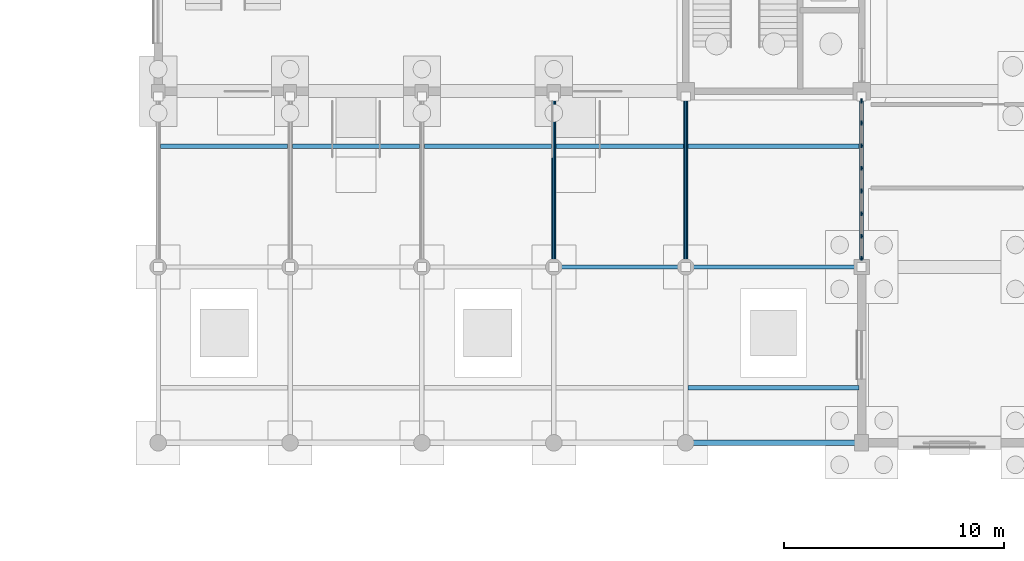
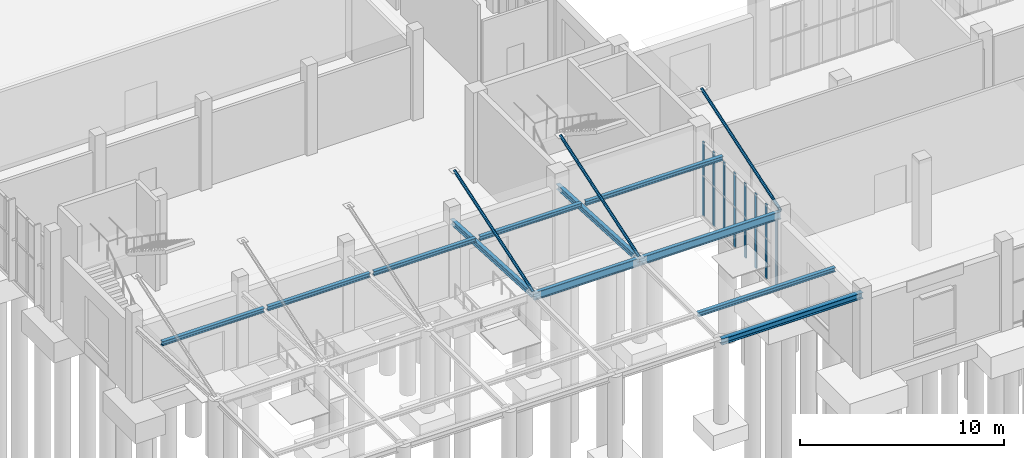
# One storey, part 8 of 69: 11 beams, 11 members, 1 element without a shape of its own.
"""IFC4 building model written with IfcOpenShell, lengths in metres."""

from ifc_helpers import new_model, si_unit, direction, frame, origin, origin_2d, place, context, subcontext, project, spatial, rectangle, hollow_circle, i_section, extrude, material, layer, layer_set, material_profile, profile_set, type_object, element, aggregate, save


model = new_model("IFC4")

# Units and contexts
model_context = context("Model", 3, precision=1e-05, world=origin(), true_north=direction((0.0, 1.0)))
body_context = subcontext(model_context, "Body", "Model", "MODEL_VIEW")
ifc_project = project(units=[si_unit("LENGTHUNIT", "METRE"), si_unit("AREAUNIT", "SQUARE_METRE"), si_unit("VOLUMEUNIT", "CUBIC_METRE"), si_unit("PLANEANGLEUNIT", "RADIAN"), si_unit("MASSUNIT", "GRAM", prefix="KILO")], contexts=[model_context])

# Site, building, storey
site_placement = place(None, origin())
site = spatial("IfcSite", under=ifc_project, at=site_placement, CompositionType="ELEMENT")
building_placement = place(site_placement, origin())
building = spatial("IfcBuilding", under=site, at=building_placement, Name="Solvane Community Centre", CompositionType="ELEMENT")
storey_placement = place(building_placement, origin())
storey = spatial("IfcBuildingStorey", under=building, at=storey_placement, Name="L00", CompositionType="ELEMENT", Elevation=0.0)

# Curtain wall, members
ifc_material_1 = material(Name="Anodised bronze aluminium AW-6063 T6", Category="aluminium")
ifc_layer = layer(ifc_material_1, 0.18994140625)
ifc_layer_set = layer_set([ifc_layer], Name="Anodised bronze aluminium AW-6063 T6")
curtain_wall_type = type_object("IfcCurtainWallType", Name="Boulevard Bronze Vision Curtain Wall [72x44dm]", PredefinedType="NOTDEFINED", material=ifc_layer_set)
curtain_wall_placement = place(storey_placement, origin())
curtain_wall = element("IfcCurtainWall", 1, at=curtain_wall_placement, inside=storey, type_object=curtain_wall_type, Name="Curtain Wall CW-L00-680_144-002", PredefinedType="NOTDEFINED")
ifc_material_profile_1 = material_profile(ifc_material_1, rectangle(XDim=0.06005859375, YDim=0.18994140625, at=origin_2d()), Name="CW-M 60x190")
ifc_profile_set_1 = profile_set([ifc_material_profile_1], Name="Anodised bronze aluminium AW-6063 T6")
member_type_1 = type_object("IfcMemberType", Name="Boulevard Mullion 60x190", PredefinedType="MULLION", material=ifc_profile_set_1)
member_1_placement = place(storey_placement, frame((68.0, 14.39501953125, 0.0), z_axis=(0.0, 0.0, 1.0), x_axis=(-1.0, 0.0, 0.0)))
member_1 = element("IfcMember", 2, at=member_1_placement, type_object=member_type_1, Name="CW02-72x44 mullion 1", PredefinedType="MULLION", context=body_context, shape_type="SweptSolid", body=[
    extrude(rectangle(XDim=0.06005859375, YDim=0.18994140625, at=origin_2d()), origin(), (0.0, 0.0, 1.0), 4.445068359375),
])
member_2_placement = place(storey_placement, frame((68.0, 15.396484375, 0.0), z_axis=(0.0, 0.0, 1.0), x_axis=(-1.0, 0.0, 0.0)))
member_2 = element("IfcMember", 3, at=member_2_placement, type_object=member_type_1, Name="CW02-72x44 mullion 2", PredefinedType="MULLION", context=body_context, shape_type="SweptSolid", body=[
    extrude(rectangle(XDim=0.06005859375, YDim=0.18994140625, at=origin_2d()), origin(), (0.0, 0.0, 1.0), 4.445068359375),
])
member_3_placement = place(storey_placement, frame((68.0, 16.427978515625, 0.0), z_axis=(0.0, 0.0, 1.0), x_axis=(-1.0, 0.0, 0.0)))
member_3 = element("IfcMember", 4, at=member_3_placement, type_object=member_type_1, Name="CW02-72x44 mullion 3", PredefinedType="MULLION", context=body_context, shape_type="SweptSolid", body=[
    extrude(rectangle(XDim=0.06005859375, YDim=0.18994140625, at=origin_2d()), origin(), (0.0, 0.0, 1.0), 4.445068359375),
])
member_4_placement = place(storey_placement, frame((68.0, 17.459228515625, 0.0), z_axis=(0.0, 0.0, 1.0), x_axis=(-1.0, 0.0, 0.0)))
member_4 = element("IfcMember", 5, at=member_4_placement, type_object=member_type_1, Name="CW02-72x44 mullion 4", PredefinedType="MULLION", context=body_context, shape_type="SweptSolid", body=[
    extrude(rectangle(XDim=0.06005859375, YDim=0.18994140625, at=origin_2d()), origin(), (0.0, 0.0, 1.0), 4.445068359375),
])
member_5_placement = place(storey_placement, frame((68.0, 18.49072265625, 0.0), z_axis=(0.0, 0.0, 1.0), x_axis=(-1.0, 0.0, 0.0)))
member_5 = element("IfcMember", 6, at=member_5_placement, type_object=member_type_1, Name="CW02-72x44 mullion 5", PredefinedType="MULLION", context=body_context, shape_type="SweptSolid", body=[
    extrude(rectangle(XDim=0.06005859375, YDim=0.18994140625, at=origin_2d()), origin(), (0.0, 0.0, 1.0), 4.445068359375),
])
member_6_placement = place(storey_placement, frame((68.0, 19.522216796875, 0.0), z_axis=(0.0, 0.0, 1.0), x_axis=(-1.0, 0.0, 0.0)))
member_6 = element("IfcMember", 7, at=member_6_placement, type_object=member_type_1, Name="CW02-72x44 mullion 6", PredefinedType="MULLION", context=body_context, shape_type="SweptSolid", body=[
    extrude(rectangle(XDim=0.06005859375, YDim=0.18994140625, at=origin_2d()), origin(), (0.0, 0.0, 1.0), 4.445068359375),
])
member_7_placement = place(storey_placement, frame((68.0, 20.553466796875, 0.0), z_axis=(0.0, 0.0, 1.0), x_axis=(-1.0, 0.0, 0.0)))
member_7 = element("IfcMember", 8, at=member_7_placement, type_object=member_type_1, Name="CW02-72x44 mullion 7", PredefinedType="MULLION", context=body_context, shape_type="SweptSolid", body=[
    extrude(rectangle(XDim=0.06005859375, YDim=0.18994140625, at=origin_2d()), origin(), (0.0, 0.0, 1.0), 4.445068359375),
])
member_8_placement = place(storey_placement, frame((68.0, 21.554931640625, 0.0), z_axis=(0.0, 0.0, 1.0), x_axis=(-1.0, 0.0, 0.0)))
member_8 = element("IfcMember", 9, at=member_8_placement, type_object=member_type_1, Name="CW02-72x44 mullion 8", PredefinedType="MULLION", context=body_context, shape_type="SweptSolid", body=[
    extrude(rectangle(XDim=0.06005859375, YDim=0.18994140625, at=origin_2d()), origin(), (0.0, 0.0, 1.0), 4.445068359375),
])
aggregate(curtain_wall, [member_1, member_2, member_3, member_4, member_5, member_6, member_7, member_8])

# Members
ifc_material_2 = material(Name="Steel ASTM A572 Grade 50", Category="steel")
ifc_material_profile_2 = material_profile(ifc_material_2, hollow_circle(Radius=0.084228515625, WallThickness=0.010009765625, at=origin_2d()), Name="CHS 168.3x10.0")
ifc_profile_set_2 = profile_set([ifc_material_profile_2], Name="Steel ASTM A572 Grade 50")
member_type_2 = type_object("IfcMemberType", Name="Canopy Hanger Strut CHS168", PredefinedType="STRUT", material=ifc_profile_set_2)
for number, where, z_axis, x_axis, name in (
    (10, (54.0, 21.75, 7.5), (0.0, -0.948802787052, -0.315869073008), (1.0, 0.0, 0.0), "Member MEM-L00-0393"),
    (11, (60.0, 21.75, 7.5), (0.0, -0.948802787052, -0.315869073008), (1.0, 0.0, 0.0), "Member MEM-L00-0394"),
    (12, (68.0, 21.75, 7.5), (0.0, -0.948802787052, -0.315869073008), (1.0, 0.0, 0.0), "Member MEM-L00-0395"),
):
    element("IfcMember", number, at=place(storey_placement, frame(where, z_axis=z_axis, x_axis=x_axis)), inside=storey, type_object=member_type_2, Name=name, PredefinedType="STRUT", context=body_context, shape_type="SweptSolid", body=[
        extrude(hollow_circle(Radius=0.084228515625, WallThickness=0.010009765625, at=origin_2d()), origin(), (0.0, 0.0, 1.0), 8.168212890625),
    ])

# Beams
ifc_material_profile_3 = material_profile(ifc_material_2, i_section(OverallWidth=0.205078125, OverallDepth=0.31005859375, WebThickness=0.009521484375, FlangeThickness=0.016357421875, FilletRadius=0.012939453125, at=origin_2d()), Name="W310x74")
ifc_profile_set_3 = profile_set([ifc_material_profile_3], Name="Steel ASTM A572 Grade 50")
beam_type_1 = type_object("IfcBeamType", Name="Steel Canopy Beam W310x74", PredefinedType="BEAM", material=ifc_profile_set_3)
for number, where, z_axis, x_axis, name in (
    (13, (54.0, 14.0, 4.764892578125), (0.0, 0.998491323842, -0.054909709642), (-1.0, 0.0, 0.0), "Beam BM-L00-540_140-540_220"),
    (14, (60.0, 14.0, 4.764892578125), (0.0, 0.998491323842, -0.054909709642), (-1.0, 0.0, 0.0), "Beam BM-L00-600_140-600_220"),
):
    element("IfcBeam", number, at=place(storey_placement, frame(where, z_axis=z_axis, x_axis=x_axis)), inside=storey, type_object=beam_type_1, Name=name, PredefinedType="BEAM", context=body_context, shape_type="SweptSolid", body=[
        extrude(i_section(OverallWidth=0.205078125, OverallDepth=0.31005859375, WebThickness=0.009521484375, FlangeThickness=0.016357421875, FilletRadius=0.012939453125, at=origin_2d()), origin(), (0.0, 0.0, 1.0), 8.01220703125),
    ])
ifc_material_profile_4 = material_profile(ifc_material_2, i_section(OverallWidth=0.194091796875, OverallDepth=0.468994140625, WebThickness=0.014404296875, FlangeThickness=0.0205078125, FilletRadius=0.012939453125, at=origin_2d()), Name="W460x106")
ifc_profile_set_4 = profile_set([ifc_material_profile_4], Name="Steel ASTM A572 Grade 50")
beam_type_2 = type_object("IfcBeamType", Name="Steel Canopy Girder W460x106", PredefinedType="USERDEFINED", material=ifc_profile_set_4)
beam_1_placement = place(storey_placement, frame((54.0, 14.0, 4.685546875), z_axis=(1.0, 0.0, 0.0), x_axis=(0.0, 1.0, 0.0)))
element("IfcBeam", 15, at=beam_1_placement, inside=storey, type_object=beam_type_2, Name="Beam BM-L00-540_140-600_140", ObjectType="GIRDER", PredefinedType="USERDEFINED", context=body_context, shape_type="SweptSolid", body=[
    extrude(i_section(OverallWidth=0.194091796875, OverallDepth=0.468994140625, WebThickness=0.014404296875, FlangeThickness=0.0205078125, FilletRadius=0.012939453125, at=origin_2d()), origin(), (0.0, 0.0, 1.0), 6.0),
])
beam_2_placement = place(storey_placement, frame((60.0, 14.0, 4.685546875), z_axis=(1.0, 0.0, 0.0), x_axis=(0.0, 1.0, 0.0)))
element("IfcBeam", 16, at=beam_2_placement, inside=storey, type_object=beam_type_2, Name="Beam BM-L00-600_140-680_140", ObjectType="GIRDER", PredefinedType="USERDEFINED", context=body_context, shape_type="SweptSolid", body=[
    extrude(i_section(OverallWidth=0.194091796875, OverallDepth=0.468994140625, WebThickness=0.014404296875, FlangeThickness=0.0205078125, FilletRadius=0.012939453125, at=origin_2d()), origin(), (0.0, 0.0, 1.0), 8.0),
])
ifc_material_profile_5 = material_profile(ifc_material_2, i_section(OverallWidth=0.202880859375, OverallDepth=0.251953125, WebThickness=0.008056640625, FlangeThickness=0.013427734375, FilletRadius=0.012939453125, at=origin_2d()), Name="W250x58")
ifc_profile_set_5 = profile_set([ifc_material_profile_5], Name="Steel ASTM A572 Grade 50")
beam_type_3 = type_object("IfcBeamType", Name="Steel Canopy Joist W250x58", PredefinedType="JOIST", material=ifc_profile_set_5)
for number, where, z_axis, x_axis, name in (
    (17, (36.110107421875, 19.5, 4.7939453125), (1.0, 0.0, 0.0), (0.0, 1.0, 0.0), "Beam BM-L00-361_195-419_195"),
    (18, (42.110107421875, 19.5, 4.7939453125), (1.0, 0.0, 0.0), (0.0, 1.0, 0.0), "Beam BM-L00-421_195-479_195"),
    (19, (48.110107421875, 19.5, 4.7939453125), (1.0, 0.0, 0.0), (0.0, 1.0, 0.0), "Beam BM-L00-481_195-539_195"),
    (20, (54.110107421875, 19.5, 4.7939453125), (1.0, 0.0, 0.0), (0.0, 1.0, 0.0), "Beam BM-L00-541_195-599_195"),
):
    element("IfcBeam", number, at=place(storey_placement, frame(where, z_axis=z_axis, x_axis=x_axis)), inside=storey, type_object=beam_type_3, Name=name, PredefinedType="JOIST", context=body_context, shape_type="SweptSolid", body=[
        extrude(i_section(OverallWidth=0.202880859375, OverallDepth=0.251953125, WebThickness=0.008056640625, FlangeThickness=0.013427734375, FilletRadius=0.012939453125, at=origin_2d()), origin(), (0.0, 0.0, 1.0), 5.77978515625),
    ])
for number, where, z_axis, x_axis, name in (
    (21, (60.110107421875, 8.5, 4.7939453125), (1.0, 0.0, 0.0), (0.0, 1.0, 0.0), "Beam BM-L00-601_85-679_85"),
    (22, (60.110107421875, 19.5, 4.7939453125), (1.0, 0.0, 0.0), (0.0, 1.0, 0.0), "Beam BM-L00-601_195-679_195"),
):
    element("IfcBeam", number, at=place(storey_placement, frame(where, z_axis=z_axis, x_axis=x_axis)), inside=storey, type_object=beam_type_3, Name=name, PredefinedType="JOIST", context=body_context, shape_type="SweptSolid", body=[
        extrude(i_section(OverallWidth=0.202880859375, OverallDepth=0.251953125, WebThickness=0.008056640625, FlangeThickness=0.013427734375, FilletRadius=0.012939453125, at=origin_2d()), origin(), (0.0, 0.0, 1.0), 7.77978515625),
    ])
ifc_material_profile_6 = material_profile(ifc_material_2, i_section(OverallWidth=0.257080078125, OverallDepth=0.363037109375, WebThickness=0.012939453125, FlangeThickness=0.021728515625, FilletRadius=0.014892578125, at=origin_2d()), Name="W360x122")
ifc_profile_set_6 = profile_set([ifc_material_profile_6], Name="Steel ASTM A572 Grade 50")
beam_type_4 = type_object("IfcBeamType", Name="Steel Edge Spandrel W360x122", PredefinedType="SPANDREL", material=ifc_profile_set_6)
beam_3_placement = place(storey_placement, frame((60.0, 6.0, 4.738525390625), z_axis=(1.0, 0.0, 0.0), x_axis=(0.0, 1.0, 0.0)))
element("IfcBeam", 23, at=beam_3_placement, inside=storey, type_object=beam_type_4, Name="Beam BM-L00-600_60-680_60", PredefinedType="SPANDREL", context=body_context, shape_type="SweptSolid", body=[
    extrude(i_section(OverallWidth=0.257080078125, OverallDepth=0.363037109375, WebThickness=0.012939453125, FlangeThickness=0.021728515625, FilletRadius=0.014892578125, at=origin_2d()), origin(), (0.0, 0.0, 1.0), 8.0),
])

save(model, "model.ifc")
